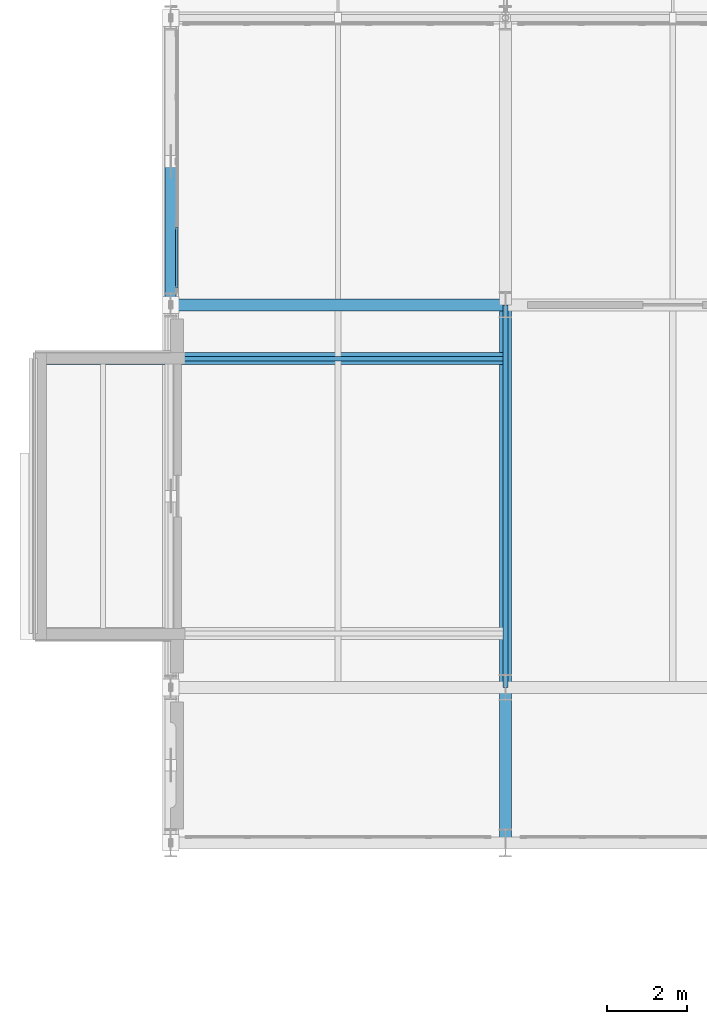
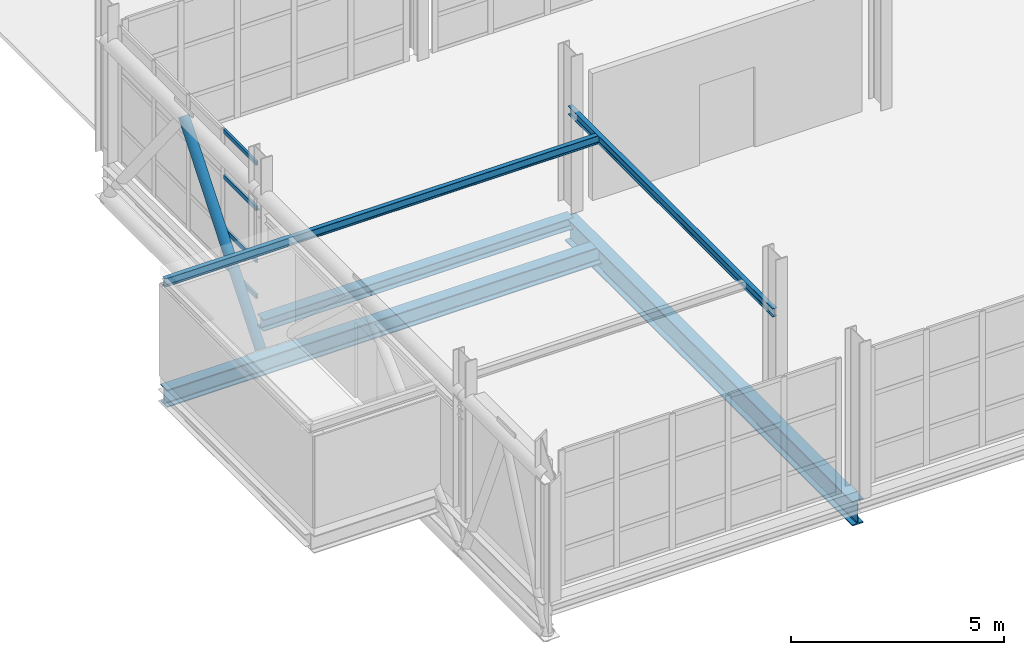
# One storey, part 17 of 130: 5 beams, 5 members, 1 element without a shape of its own.
"""IFC4 building model written with IfcOpenShell, lengths in metres."""

from ifc_helpers import new_model, si_unit, direction, frame, origin, origin_2d, place, context, subcontext, project, spatial, hollow_rectangle, hollow_circle, i_section, extrude, material, material_profile, profile_set, type_object, element, aggregate, save


model = new_model("IFC4")

# Units and contexts
model_context = context("Model", 3, precision=1e-05, world=origin(), true_north=direction((0.0, 1.0)))
body_context = subcontext(model_context, "Body", "Model", "MODEL_VIEW")
ifc_project = project(units=[si_unit("LENGTHUNIT", "METRE"), si_unit("AREAUNIT", "SQUARE_METRE"), si_unit("VOLUMEUNIT", "CUBIC_METRE"), si_unit("PLANEANGLEUNIT", "RADIAN"), si_unit("MASSUNIT", "GRAM", prefix="KILO")], contexts=[model_context])

# Site, building, storey
site_placement = place(None, origin())
site = spatial("IfcSite", under=ifc_project, at=site_placement, CompositionType="ELEMENT")
building_placement = place(site_placement, origin())
building = spatial("IfcBuilding", under=site, at=building_placement, Name="Veltarok Museum of Natural Sciences", CompositionType="ELEMENT")
storey_placement = place(building_placement, frame((0.0, 0.0, 12.89990234375)))
storey = spatial("IfcBuildingStorey", under=building, at=storey_placement, Name="L02", CompositionType="ELEMENT", Elevation=12.89990234375)

# Beams
ifc_material_1 = material(Name="Steel S355J2", Category="steel")
ifc_material_profile_1 = material_profile(ifc_material_1, i_section(OverallWidth=0.300048828125, OverallDepth=0.5, WebThickness=0.014404296875, FlangeThickness=0.028076171875, FilletRadius=0.027099609375, at=origin_2d()), Name="HEB 500")
ifc_profile_set_1 = profile_set([ifc_material_profile_1], Name="Steel S355J2")
beam_type_1 = type_object("IfcBeamType", Name="Cabinet Box Cantilever Girder HEB 500", PredefinedType="BEAM", material=ifc_profile_set_1)
beam_1_placement = place(storey_placement, frame((3.0, 17.85009765625, -0.5), z_axis=(1.0, 0.0, 0.0), x_axis=(0.0, 1.0, 0.0)))
element("IfcBeam", 1, at=beam_1_placement, inside=storey, type_object=beam_type_1, Name="Cabinet Cantilever Girder DB-32-2", PredefinedType="BEAM", context=body_context, shape_type="SweptSolid", body=[
    extrude(i_section(OverallWidth=0.300048828125, OverallDepth=0.5, WebThickness=0.014404296875, FlangeThickness=0.028076171875, FilletRadius=0.027099609375, at=origin_2d()), origin(), (0.0, 0.0, 1.0), 11.800048828125),
])
ifc_material_profile_2 = material_profile(ifc_material_1, i_section(OverallWidth=0.1201171875, OverallDepth=0.239990234375, WebThickness=0.006103515625, FlangeThickness=0.009765625, FilletRadius=0.014892578125, at=origin_2d()), Name="IPE 240")
ifc_profile_set_2 = profile_set([ifc_material_profile_2], Name="Steel S355J2")
beam_type_2 = type_object("IfcBeamType", Name="Cabinet Box Secondary Joist IPE 240", PredefinedType="JOIST", material=ifc_profile_set_2)
beam_2_placement = place(storey_placement, frame((3.0, 17.85009765625, 2.760009765625), z_axis=(1.0, 0.0, 0.0), x_axis=(0.0, 1.0, 0.0)))
element("IfcBeam", 2, at=beam_2_placement, inside=storey, type_object=beam_type_2, Name="Cabinet Roof Rafter DB-32-2", PredefinedType="JOIST", context=body_context, shape_type="SweptSolid", body=[
    extrude(i_section(OverallWidth=0.1201171875, OverallDepth=0.239990234375, WebThickness=0.006103515625, FlangeThickness=0.009765625, FilletRadius=0.014892578125, at=origin_2d()), origin(), (0.0, 0.0, 1.0), 11.800048828125),
])
beam_3_placement = place(storey_placement, frame((14.800048828125, 9.60009765625, 2.760009765625), z_axis=(0.0, 1.0, 0.0), x_axis=(-1.0, 0.0, 0.0)))
element("IfcBeam", 3, at=beam_3_placement, inside=storey, type_object=beam_type_2, Name="Cabinet Roof Tie Beam DB-32-I", PredefinedType="JOIST", context=body_context, shape_type="SweptSolid", body=[
    extrude(i_section(OverallWidth=0.1201171875, OverallDepth=0.239990234375, WebThickness=0.006103515625, FlangeThickness=0.009765625, FilletRadius=0.014892578125, at=origin_2d()), origin(), (0.0, 0.0, 1.0), 9.599853515625),
])

# Curtain wall, members
ifc_material_2 = material(Name="Low-iron triple insulated glass", Category="glass")
curtain_wall_type = type_object("IfcCurtainWallType", Name="Curtain Wall System CW-BRG-W-L02-CD-648x388 (Bridge West Forecourt L02 C-D 648x388cm)", PredefinedType="NOTDEFINED", material=ifc_material_2)
curtain_wall_placement = place(storey_placement, origin())
curtain_wall = element("IfcCurtainWall", 4, at=curtain_wall_placement, inside=storey, type_object=curtain_wall_type, Name="Curtain Wall CW-BRG-W-L02-CD-648x388 CW-0036", PredefinedType="NOTDEFINED")
ifc_material_3 = material(Name="Thermally broken anodised aluminium", Category="aluminium")
ifc_material_profile_3 = material_profile(ifc_material_3, hollow_rectangle(XDim=0.06005859375, YDim=0.1201171875, WallThickness=0.0048828125, at=origin_2d()), Name="CW TRANSOM 60x120x5")
ifc_profile_set_3 = profile_set([ifc_material_profile_3], Name="Thermally broken anodised aluminium")
member_type_1 = type_object("IfcMemberType", Name="Curtain Wall Horizontal Transom 60x120x5", PredefinedType="USERDEFINED", material=ifc_profile_set_3)
member_1_placement = place(storey_placement, frame((6.550048828125, 21.14990234375, 0.030029296875), z_axis=(0.0, -1.0, 0.0), x_axis=(1.0, 0.0, 0.0)))
member_1 = element("IfcMember", 5, at=member_1_placement, type_object=member_type_1, Name="CW-BRG-W-L02-CD-648x388 transom 4.1", ObjectType="TRANSOM", PredefinedType="USERDEFINED", context=body_context, shape_type="SweptSolid", body=[
    extrude(hollow_rectangle(XDim=0.06005859375, YDim=0.1201171875, WallThickness=0.0048828125, at=origin_2d()), origin(), (0.0, 0.0, 1.0), 1.52978515625),
])
member_2_placement = place(storey_placement, frame((6.550048828125, 21.14990234375, 1.050048828125), z_axis=(0.0, -1.0, 0.0), x_axis=(1.0, 0.0, 0.0)))
member_2 = element("IfcMember", 6, at=member_2_placement, type_object=member_type_1, Name="CW-BRG-W-L02-CD-648x388 transom 4.2", ObjectType="TRANSOM", PredefinedType="USERDEFINED", context=body_context, shape_type="SweptSolid", body=[
    extrude(hollow_rectangle(XDim=0.06005859375, YDim=0.1201171875, WallThickness=0.0048828125, at=origin_2d()), origin(), (0.0, 0.0, 1.0), 1.52978515625),
])
member_3_placement = place(storey_placement, frame((6.550048828125, 21.14990234375, 2.550048828125), z_axis=(0.0, -1.0, 0.0), x_axis=(1.0, 0.0, 0.0)))
member_3 = element("IfcMember", 7, at=member_3_placement, type_object=member_type_1, Name="CW-BRG-W-L02-CD-648x388 transom 4.3", ObjectType="TRANSOM", PredefinedType="USERDEFINED", context=body_context, shape_type="SweptSolid", body=[
    extrude(hollow_rectangle(XDim=0.06005859375, YDim=0.1201171875, WallThickness=0.0048828125, at=origin_2d()), origin(), (0.0, 0.0, 1.0), 1.52978515625),
])
member_4_placement = place(storey_placement, frame((6.550048828125, 21.14990234375, 3.85009765625), z_axis=(0.0, -1.0, 0.0), x_axis=(1.0, 0.0, 0.0)))
member_4 = element("IfcMember", 8, at=member_4_placement, type_object=member_type_1, Name="CW-BRG-W-L02-CD-648x388 transom 4.4", ObjectType="TRANSOM", PredefinedType="USERDEFINED", context=body_context, shape_type="SweptSolid", body=[
    extrude(hollow_rectangle(XDim=0.06005859375, YDim=0.1201171875, WallThickness=0.0048828125, at=origin_2d()), origin(), (0.0, 0.0, 1.0), 1.52978515625),
])
aggregate(curtain_wall, [member_1, member_2, member_3, member_4])

# Beams
ifc_material_profile_4 = material_profile(ifc_material_1, i_section(OverallWidth=0.300048828125, OverallDepth=0.699951171875, WebThickness=0.01708984375, FlangeThickness=0.031982421875, FilletRadius=0.027099609375, at=origin_2d()), Name="HEB 700")
ifc_profile_set_4 = profile_set([ifc_material_profile_4], Name="Steel S355J2")
beam_type_3 = type_object("IfcBeamType", Name="Long-Span Hall Girder HEB 700", PredefinedType="BEAM", material=ifc_profile_set_4)
beam_4_placement = place(storey_placement, frame((14.800048828125, 5.699951171875, -0.599853515625), z_axis=(0.0, 1.0, 0.0), x_axis=(-1.0, 0.0, 0.0)))
element("IfcBeam", 9, at=beam_4_placement, inside=storey, type_object=beam_type_3, Name="Bridge Cantilever Girder L02 2", PredefinedType="BEAM", context=body_context, shape_type="SweptSolid", body=[
    extrude(i_section(OverallWidth=0.300048828125, OverallDepth=0.699951171875, WebThickness=0.01708984375, FlangeThickness=0.031982421875, FilletRadius=0.027099609375, at=origin_2d()), origin(), (0.0, 0.0, 1.0), 13.5),
])
ifc_material_profile_5 = material_profile(ifc_material_1, i_section(OverallWidth=0.300048828125, OverallDepth=0.330078125, WebThickness=0.009521484375, FlangeThickness=0.0166015625, FilletRadius=0.027099609375, at=origin_2d()), Name="HEA 340")
ifc_profile_set_5 = profile_set([ifc_material_profile_5], Name="Steel S355J2")
beam_type_4 = type_object("IfcBeamType", Name="Perimeter Upper Spandrel HEA 340", PredefinedType="SPANDREL", material=ifc_profile_set_5)
beam_5_placement = place(storey_placement, frame((6.39990234375, 19.199951171875, -0.414794921875), z_axis=(1.0, 0.0, 0.0), x_axis=(0.0, 1.0, 0.0)))
element("IfcBeam", 10, at=beam_5_placement, inside=storey, type_object=beam_type_4, Name="Beam BM-SP05 L02 1-2/C", PredefinedType="SPANDREL", context=body_context, shape_type="SweptSolid", body=[
    extrude(i_section(OverallWidth=0.300048828125, OverallDepth=0.330078125, WebThickness=0.009521484375, FlangeThickness=0.0166015625, FilletRadius=0.027099609375, at=origin_2d()), origin(), (0.0, 0.0, 1.0), 8.400146484375),
])

# Member
ifc_material_4 = material(Name="Oxide-red painted Steel S355J2", Category="steel")
ifc_material_profile_6 = material_profile(ifc_material_4, hollow_circle(Radius=0.136474609375, WallThickness=0.012451171875, at=origin_2d()), Name="CHS 273x12.5")
ifc_profile_set_6 = profile_set([ifc_material_profile_6], Name="Oxide-red painted Steel S355J2")
member_type_2 = type_object("IfcMemberType", Name="Transfer Truss Web Diagonal CHS 273x12.5", PredefinedType="BRACE", material=ifc_profile_set_6)
member_5_placement = place(storey_placement, frame((6.39990234375, 19.199951171875, -1.169921875), z_axis=(0.0, 0.624705380279, 0.780860543151), x_axis=(-1.0, 0.0, 0.0)))
element("IfcMember", 11, at=member_5_placement, inside=storey, type_object=member_type_2, Name="Transfer Truss Diagonal 1 11", PredefinedType="BRACE", context=body_context, shape_type="SweptSolid", body=[
    extrude(hollow_circle(Radius=0.136474609375, WallThickness=0.012451171875, at=origin_2d()), origin(), (0.0, 0.0, 1.0), 5.762939453125),
])

save(model, "model.ifc")
